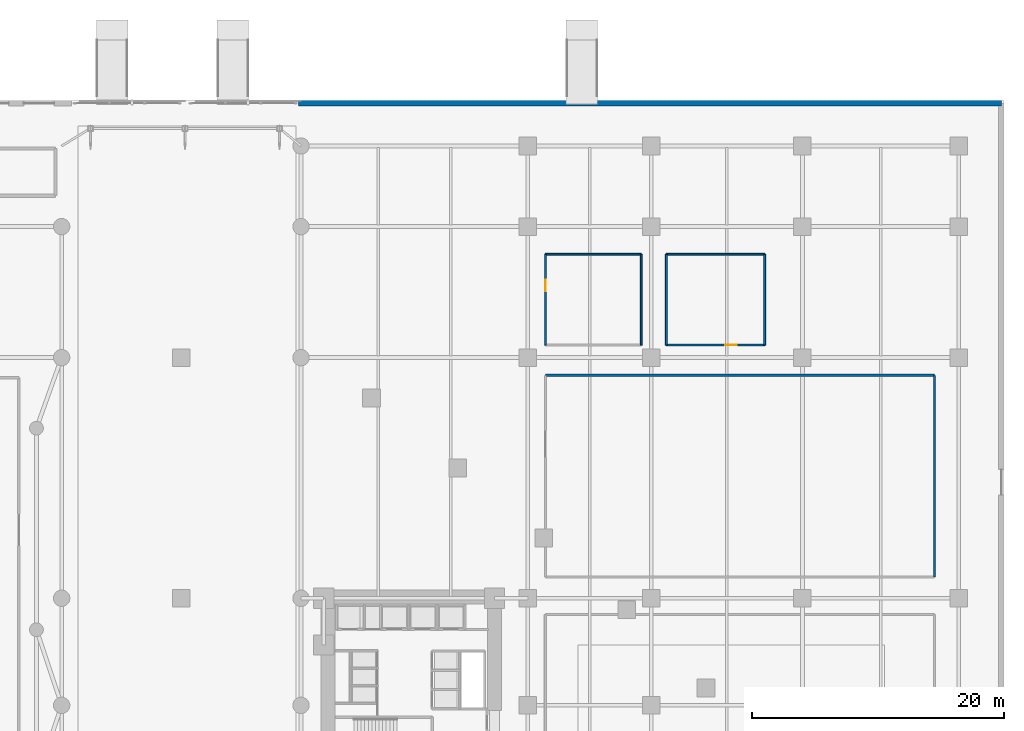
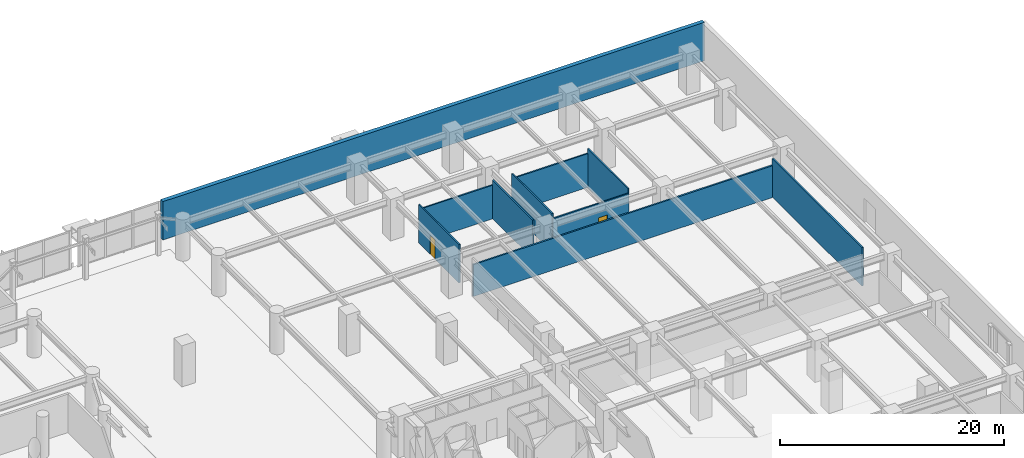
# One storey, part 26 of 42: 10 walls, 2 doors, 2 openings.
"""IFC4 building model written with IfcOpenShell, lengths in metres."""

from ifc_helpers import new_model, si_unit, direction, frame, frame_2d, origin, place, context, subcontext, project, spatial, rectangle, extrude, material, layer, layer_set, type_object, element, fill, save


model = new_model("IFC4")

# Units and contexts
model_context = context("Model", 3, precision=1e-05, world=origin(), true_north=direction((0.0, 1.0)))
body_context = subcontext(model_context, "Body", "Model", "MODEL_VIEW")
ifc_project = project(units=[si_unit("LENGTHUNIT", "METRE"), si_unit("AREAUNIT", "SQUARE_METRE"), si_unit("VOLUMEUNIT", "CUBIC_METRE"), si_unit("PLANEANGLEUNIT", "RADIAN"), si_unit("MASSUNIT", "GRAM", prefix="KILO")], contexts=[model_context])

# Site, building, storey
site_placement = place(None, origin())
site = spatial("IfcSite", under=ifc_project, at=site_placement, CompositionType="ELEMENT")
building_placement = place(site_placement, origin())
building = spatial("IfcBuilding", under=site, at=building_placement, Name="Narakoshi Arena Tower", CompositionType="ELEMENT")
storey_placement = place(building_placement, origin())
storey = spatial("IfcBuildingStorey", under=building, at=storey_placement, Name="L00", CompositionType="ELEMENT", Elevation=0.0)

# Walls
ifc_material_1 = material(Name="Gypsum plasterboard fire-rated partition")
ifc_layer_1 = layer(ifc_material_1, 0.1650390625)
ifc_layer_set_1 = layer_set([ifc_layer_1], Name="Gypsum plasterboard fire-rated partition")
wall_type_1 = type_object("IfcWallType", Name="WL-CORR-165", PredefinedType="PARTITIONING", material=ifc_layer_set_1)
wall_1_placement = place(storey_placement, frame((120.5, 58.199951171875, 0.0), z_axis=(0.0, 0.0, 1.0), x_axis=(0.0, 1.0, 0.0)))
element("IfcWall", 1, at=wall_1_placement, inside=storey, type_object=wall_type_1, Name="L00 Observation Express Foyer Wall E", PredefinedType="PARTITIONING", context=body_context, shape_type="SweptSolid", body=[
    extrude(rectangle(XDim=16.0, YDim=0.1650390625, at=frame_2d((8.0, 0.0))), origin(), (0.0, 0.0, 1.0), 4.179931640625),
])
wall_2_placement = place(storey_placement, frame((120.5, 74.199951171875, 0.0), z_axis=(0.0, 0.0, 1.0), x_axis=(-1.0, 0.0, 0.0)))
element("IfcWall", 2, at=wall_2_placement, inside=storey, type_object=wall_type_1, Name="L00 Observation Express Foyer Wall N", PredefinedType="PARTITIONING", context=body_context, shape_type="SweptSolid", body=[
    extrude(rectangle(XDim=30.89990234375, YDim=0.1650390625, at=frame_2d((15.449951171875, 0.0))), origin(), (0.0, 0.0, 1.0), 3.465087890625),
])
ifc_material_2 = material(Name="Precast concrete C45/55", Category="concrete")
ifc_layer_2 = layer(ifc_material_2, 0.419921875)
ifc_layer_set_2 = layer_set([ifc_layer_2], Name="Precast concrete C45/55")
wall_type_2 = type_object("IfcWallType", Name="WL-POD-420", PredefinedType="SOLIDWALL", material=ifc_layer_set_2)
wall_3_placement = place(storey_placement, frame((125.7900390625, 95.7900390625, 0.0), z_axis=(0.0, 0.0, 1.0), x_axis=(-1.0, 0.0, 0.0)))
element("IfcWall", 3, at=wall_3_placement, inside=storey, type_object=wall_type_2, Name="L00 Podium Precast Facade Wall NE", PredefinedType="SOLIDWALL", context=body_context, shape_type="SweptSolid", body=[
    extrude(rectangle(XDim=55.7900390625, YDim=0.419921875, at=frame_2d((27.89501953125, 0.0))), origin(), (0.0, 0.0, 1.0), 4.179931640625),
])
ifc_material_3 = material(Name="Moisture-resistant cement-board partition")
ifc_layer_3 = layer(ifc_material_3, 0.14501953125)
ifc_layer_set_3 = layer_set([ifc_layer_3], Name="Moisture-resistant cement-board partition")
wall_type_3 = type_object("IfcWallType", Name="WL-WET-145", PredefinedType="PARTITIONING", material=ifc_layer_set_3)
wall_4_placement = place(storey_placement, frame((97.199951171875, 76.60009765625, 0.0), z_axis=(0.0, 0.0, 1.0), x_axis=(0.0, 1.0, 0.0)))
element("IfcWall", 4, at=wall_4_placement, inside=storey, type_object=wall_type_3, Name="L00 Public Male Restroom WC Wall E", PredefinedType="PARTITIONING", context=body_context, shape_type="SweptSolid", body=[
    extrude(rectangle(XDim=7.199951171875, YDim=0.14501953125, at=frame_2d((3.60009765625, 0.0))), origin(), (0.0, 0.0, 1.0), 4.179931640625),
])
wall_5_placement = place(storey_placement, frame((97.199951171875, 83.800048828125, 0.0), z_axis=(0.0, 0.0, 1.0), x_axis=(-1.0, 0.0, 0.0)))
element("IfcWall", 5, at=wall_5_placement, inside=storey, type_object=wall_type_3, Name="L00 Public Male Restroom WC Wall N", PredefinedType="PARTITIONING", context=body_context, shape_type="SweptSolid", body=[
    extrude(rectangle(XDim=7.599853515625, YDim=0.14501953125, at=frame_2d((3.7998046875, 0.0))), origin(), (0.0, 0.0, 1.0), 3.6650390625),
])

# Wall, opening, door
wall_6_placement = place(storey_placement, frame((89.60009765625, 83.800048828125, 0.0), z_axis=(0.0, 0.0, 1.0), x_axis=(0.0, -1.0, 0.0)))
wall_6 = element("IfcWall", 6, at=wall_6_placement, inside=storey, type_object=wall_type_3, Name="L00 Public Male Restroom WC Wall W", PredefinedType="PARTITIONING", context=body_context, shape_type="SweptSolid", body=[
    extrude(rectangle(XDim=7.199951171875, YDim=0.14501953125, at=frame_2d((3.60009765625, 0.0))), origin(), (0.0, 0.0, 1.0), 4.179931640625),
])
opening_1_placement = place(wall_6_placement, frame((2.01611328125, 0.0, 0.0)))
opening_1 = element("IfcOpeningElement", 7, at=opening_1_placement, cuts=wall_6, Name="Opening D-08", PredefinedType="OPENING", context=body_context, shape_type="SweptSolid", body=[
    extrude(rectangle(XDim=0.89990234375, YDim=2.10009765625, at=frame_2d((0.449951171875, 1.050048828125))), frame((0.0, 0.08251953125, 0.0), z_axis=(0.0, -1.0, 0.0), x_axis=(1.0, 0.0, 0.0)), (0.0, 0.0, 1.0), 0.1650390625),
])
ifc_material_4 = material(Name="Moisture-resistant laminate timber", Category="wood")
door_type = type_object("IfcDoorType", Name="DR-WC-900", OperationType="NOTDEFINED", PredefinedType="DOOR", material=ifc_material_4)
door_1_placement = place(opening_1_placement, frame((0.89990234375, 0.0, 0.0), z_axis=(0.0, 0.0, 1.0), x_axis=(-1.0, 0.0, 0.0)))
door_1 = element("IfcDoor", 8, at=door_1_placement, inside=storey, type_object=door_type, Name="DR-L00-062", OperationType="SINGLE_SWING_LEFT", OverallHeight=2.10009765625, OverallWidth=0.89990234375, PredefinedType="DOOR", context=body_context, shape_type="SweptSolid", body=[
    extrude(rectangle(XDim=0.89990234375, YDim=2.10009765625, at=frame_2d((0.449951171875, 1.050048828125))), frame((0.0, 0.02490234375, 0.0), z_axis=(0.0, -1.0, 0.0), x_axis=(1.0, 0.0, 0.0)), (0.0, 0.0, 1.0), 0.050048828125),
])
fill(opening_1, door_1)

wall_7_placement = place(storey_placement, frame((99.199951171875, 76.60009765625, 0.0), z_axis=(0.0, 0.0, 1.0), x_axis=(1.0, 0.0, 0.0)))
wall_7 = element("IfcWall", 9, at=wall_7_placement, inside=storey, type_object=wall_type_3, Name="L00 Public Female Restroom WC Wall S", PredefinedType="PARTITIONING", context=body_context, shape_type="SweptSolid", body=[
    extrude(rectangle(XDim=7.800048828125, YDim=0.14501953125, at=frame_2d((3.89990234375, 0.0))), origin(), (0.0, 0.0, 1.0), 3.6650390625),
])
opening_2_placement = place(wall_7_placement, frame((4.69189453125, 0.0, 0.0)))
opening_2 = element("IfcOpeningElement", 10, at=opening_2_placement, cuts=wall_7, Name="Opening D-08", PredefinedType="OPENING", context=body_context, shape_type="SweptSolid", body=[
    extrude(rectangle(XDim=0.89990234375, YDim=2.10009765625, at=frame_2d((0.449951171875, 1.050048828125))), frame((0.0, 0.08251953125, 0.0), z_axis=(0.0, -1.0, 0.0), x_axis=(1.0, 0.0, 0.0)), (0.0, 0.0, 1.0), 0.1650390625),
])
door_2_placement = place(opening_2_placement, frame((0.89990234375, 0.0, 0.0), z_axis=(0.0, 0.0, 1.0), x_axis=(-1.0, 0.0, 0.0)))
door_2 = element("IfcDoor", 11, at=door_2_placement, inside=storey, type_object=door_type, Name="DR-L00-063", OperationType="SINGLE_SWING_RIGHT", OverallHeight=2.10009765625, OverallWidth=0.89990234375, PredefinedType="DOOR", context=body_context, shape_type="SweptSolid", body=[
    extrude(rectangle(XDim=0.89990234375, YDim=2.10009765625, at=frame_2d((0.449951171875, 1.050048828125))), frame((0.0, 0.02490234375, 0.0), z_axis=(0.0, -1.0, 0.0), x_axis=(1.0, 0.0, 0.0)), (0.0, 0.0, 1.0), 0.050048828125),
])
fill(opening_2, door_2)

# Walls
wall_8_placement = place(storey_placement, frame((107.0, 76.60009765625, 0.0), z_axis=(0.0, 0.0, 1.0), x_axis=(0.0, 1.0, 0.0)))
element("IfcWall", 12, at=wall_8_placement, inside=storey, type_object=wall_type_3, Name="L00 Public Female Restroom WC Wall E", PredefinedType="PARTITIONING", context=body_context, shape_type="SweptSolid", body=[
    extrude(rectangle(XDim=7.199951171875, YDim=0.14501953125, at=frame_2d((3.60009765625, 0.0))), origin(), (0.0, 0.0, 1.0), 4.179931640625),
])
wall_9_placement = place(storey_placement, frame((107.0, 83.800048828125, 0.0), z_axis=(0.0, 0.0, 1.0), x_axis=(-1.0, 0.0, 0.0)))
element("IfcWall", 13, at=wall_9_placement, inside=storey, type_object=wall_type_3, Name="L00 Public Female Restroom WC Wall N", PredefinedType="PARTITIONING", context=body_context, shape_type="SweptSolid", body=[
    extrude(rectangle(XDim=7.800048828125, YDim=0.14501953125, at=frame_2d((3.89990234375, 0.0))), origin(), (0.0, 0.0, 1.0), 3.6650390625),
])
wall_10_placement = place(storey_placement, frame((99.199951171875, 83.800048828125, 0.0), z_axis=(0.0, 0.0, 1.0), x_axis=(0.0, -1.0, 0.0)))
element("IfcWall", 14, at=wall_10_placement, inside=storey, type_object=wall_type_3, Name="L00 Public Female Restroom WC Wall W", PredefinedType="PARTITIONING", context=body_context, shape_type="SweptSolid", body=[
    extrude(rectangle(XDim=7.199951171875, YDim=0.14501953125, at=frame_2d((3.60009765625, 0.0))), origin(), (0.0, 0.0, 1.0), 4.179931640625),
])

save(model, "model.ifc")
